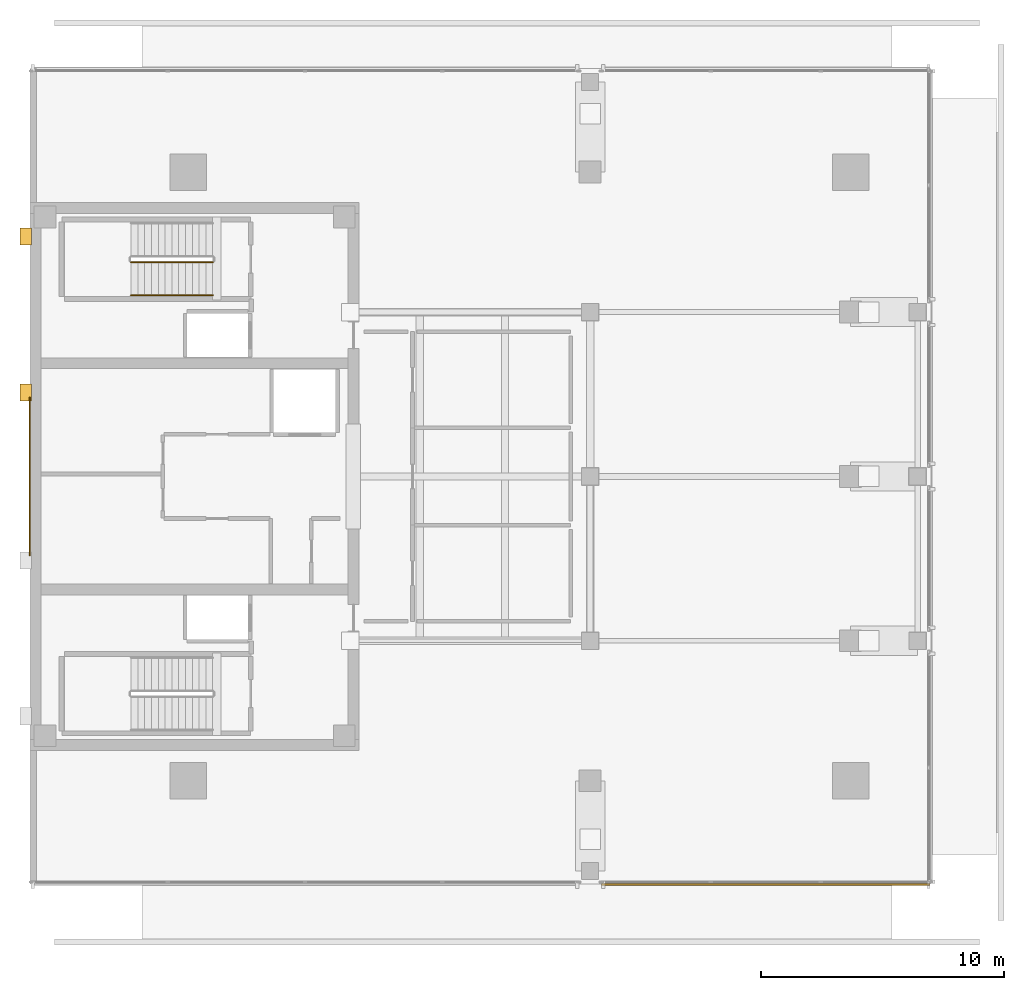
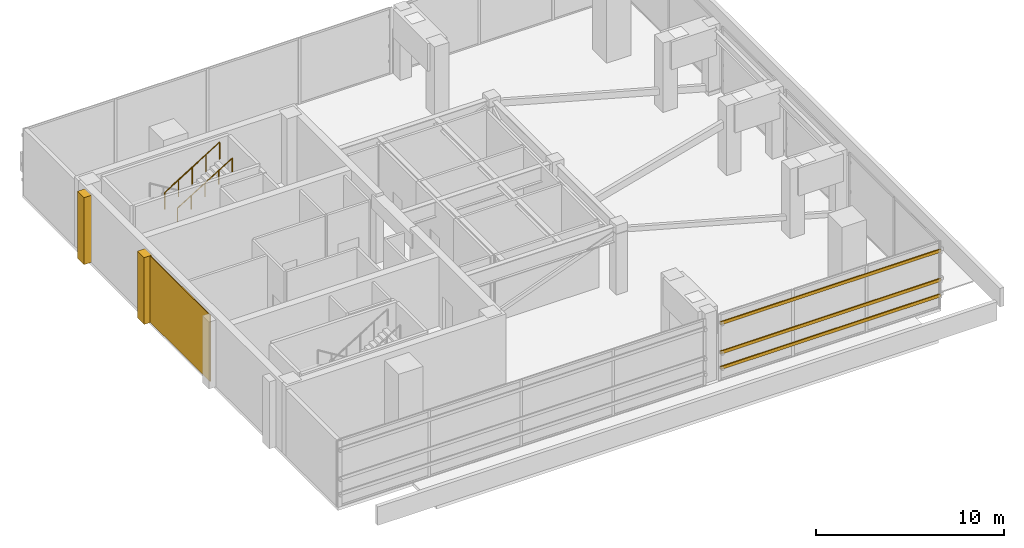
# One storey, part 11 of 13: 3 coverings, 3 shading devices, 2 railings.
"""IFC4 building model written with IfcOpenShell, lengths in metres."""

from ifc_helpers import new_model, si_unit, direction, frame, origin, origin_2d, place, context, subcontext, project, spatial, polyline, rectangle, circle, outline, extrude, material, layer, layer_set, material_profile, profile_set, type_object, element, save


model = new_model("IFC4")

# Units and contexts
model_context = context("Model", 3, precision=1e-05, world=origin(), true_north=direction((0.0, 1.0)))
body_context = subcontext(model_context, "Body", "Model", "MODEL_VIEW")
ifc_project = project(units=[si_unit("LENGTHUNIT", "METRE"), si_unit("AREAUNIT", "SQUARE_METRE"), si_unit("VOLUMEUNIT", "CUBIC_METRE"), si_unit("PLANEANGLEUNIT", "RADIAN"), si_unit("MASSUNIT", "GRAM", prefix="KILO")], contexts=[model_context])

# Site, building, storey
site_placement = place(None, origin())
site = spatial("IfcSite", under=ifc_project, at=site_placement, CompositionType="ELEMENT")
building_placement = place(site_placement, origin())
building = spatial("IfcBuilding", under=site, at=building_placement, Name="Kinhvarn Gate Tower", CompositionType="ELEMENT")
storey_placement = place(building_placement, frame((0.0, 0.0, 303.050048828125)))
storey = spatial("IfcBuildingStorey", under=building, at=storey_placement, Name="L80", CompositionType="ELEMENT", Elevation=303.050048828125)

# Coverings
ifc_material_1 = material(Name="Fired architectural terracotta", Category="masonry")
ifc_layer_1 = layer(ifc_material_1, 0.050048828125)
ifc_layer_set_1 = layer_set([ifc_layer_1], Name="Fired architectural terracotta")
covering_type_1 = type_object("IfcCoveringType", Name="COV-CLD-50", PredefinedType="CLADDING", material=ifc_layer_set_1)
covering_1_placement = place(storey_placement, origin())
element("IfcCovering", 1, at=covering_1_placement, inside=storey, type_object=covering_type_1, Name="West Core Terracotta Cladding Feature Panel (L80)", PredefinedType="CLADDING", context=body_context, shape_type="SweptSolid", body=[
    extrude(outline(polyline([(4.449951171875, 22.0), (4.5, 22.0), (4.5, 28.5), (4.449951171875, 28.5), (4.449951171875, 22.0)])), origin(), (0.0, 0.0, 1.0), 4.300048828125),
])
ifc_material_2 = material(Name="Precast white architectural concrete C40/50", Category="concrete")
ifc_layer_2 = layer(ifc_material_2, 0.47998046875)
ifc_layer_set_2 = layer_set([ifc_layer_2], Name="Precast white architectural concrete C40/50")
covering_type_2 = type_object("IfcCoveringType", Name="COV-RIB-450", PredefinedType="CLADDING", material=ifc_layer_set_2)
covering_2_placement = place(storey_placement, frame((0.0, 0.0, -0.02001953125)))
element("IfcCovering", 2, at=covering_2_placement, inside=storey, type_object=covering_type_2, Name="West Core Sculptural Concrete Relief Rib CRB-450 (L80)", PredefinedType="CLADDING", context=body_context, shape_type="SweptSolid", body=[
    extrude(outline(polyline([(4.080078125, 28.35009765625), (4.56005859375, 28.35009765625), (4.56005859375, 29.050048828125), (4.080078125, 29.050048828125), (4.080078125, 28.35009765625)])), origin(), (0.0, 0.0, 1.0), 4.340087890625),
])
covering_3_placement = place(storey_placement, frame((0.0, 0.0, -0.02001953125)))
element("IfcCovering", 3, at=covering_3_placement, inside=storey, type_object=covering_type_2, Name="West Core Sculptural Concrete Relief Rib CRB-450 (L80)", PredefinedType="CLADDING", context=body_context, shape_type="SweptSolid", body=[
    extrude(outline(polyline([(4.080078125, 34.75), (4.56005859375, 34.75), (4.56005859375, 35.449951171875), (4.080078125, 35.449951171875), (4.080078125, 34.75)])), origin(), (0.0, 0.0, 1.0), 4.340087890625),
])

# Railings
ifc_material_3 = material(Name="Steel S355", Category="steel")
railing_type_1 = type_object("IfcRailingType", Name="RL-ST-GRD", PredefinedType="BALUSTRADE", material=ifc_material_3)
railing_1_placement = place(storey_placement, frame((8.639892578125, 34.050048828125, 2.423095703125)))
element("IfcRailing", 4, at=railing_1_placement, inside=storey, type_object=railing_type_1, Name="L80 ST2 stair guard 3", PredefinedType="BALUSTRADE", context=body_context, shape_type="SweptSolid", body=[
    extrude(circle(Radius=0.02392578125, at=origin_2d()), frame((0.0, 0.0, 1.076171875), z_axis=(0.850623216509, 0.0, 0.525775754039), x_axis=(0.0, 1.0, 0.0)), (0.0, 0.0, 1.0), 3.9501953125),
    extrude(circle(Radius=0.02099609375, at=origin_2d()), origin(), (0.0, 0.0, 1.0), 1.052001953125),
    extrude(circle(Radius=0.02099609375, at=origin_2d()), frame((0.840087890625, 0.0, 0.519287109375)), (0.0, 0.0, 1.0), 1.052001953125),
    extrude(circle(Radius=0.02099609375, at=origin_2d()), frame((1.68017578125, 0.0, 1.03857421875)), (0.0, 0.0, 1.0), 1.052001953125),
    extrude(circle(Radius=0.02099609375, at=origin_2d()), frame((2.52001953125, 0.0, 1.5576171875)), (0.0, 0.0, 1.0), 1.052001953125),
    extrude(circle(Radius=0.02099609375, at=origin_2d()), frame((3.360107421875, 0.0, 2.076904296875)), (0.0, 0.0, 1.0), 1.052001953125),
])
railing_type_2 = type_object("IfcRailingType", Name="RL-ST-HND", PredefinedType="HANDRAIL", material=ifc_material_3)
railing_2_placement = place(storey_placement, frame((8.639892578125, 32.699951171875, 2.423095703125)))
element("IfcRailing", 5, at=railing_2_placement, inside=storey, type_object=railing_type_2, Name="L80 ST2 stair handrail 2", PredefinedType="HANDRAIL", context=body_context, shape_type="SweptSolid", body=[
    extrude(circle(Radius=0.02392578125, at=origin_2d()), frame((0.0, 0.0, 0.8759765625), z_axis=(0.850623216509, 0.0, 0.525775754039), x_axis=(0.0, 1.0, 0.0)), (0.0, 0.0, 1.0), 3.9501953125),
    extrude(circle(Radius=0.02099609375, at=origin_2d()), origin(), (0.0, 0.0, 1.0), 0.851806640625),
    extrude(circle(Radius=0.02099609375, at=origin_2d()), frame((0.840087890625, 0.0, 0.519287109375)), (0.0, 0.0, 1.0), 0.851806640625),
    extrude(circle(Radius=0.02099609375, at=origin_2d()), frame((1.68017578125, 0.0, 1.03857421875)), (0.0, 0.0, 1.0), 0.851806640625),
    extrude(circle(Radius=0.02099609375, at=origin_2d()), frame((2.52001953125, 0.0, 1.5576171875)), (0.0, 0.0, 1.0), 0.851806640625),
    extrude(circle(Radius=0.02099609375, at=origin_2d()), frame((3.360107421875, 0.0, 2.076904296875)), (0.0, 0.0, 1.0), 0.851806640625),
])

# Shading devices
ifc_material_4 = material(Name="Anodised aluminium AW-6063", Category="aluminium")
ifc_material_profile = material_profile(ifc_material_4, rectangle(XDim=0.074951171875, YDim=0.199951171875, at=origin_2d()), Name="LOUVRE 75x200")
ifc_profile_set = profile_set([ifc_material_profile], Name="Anodised aluminium AW-6063")
shading_device_type = type_object("IfcShadingDeviceType", Name="SHD-LVR-200", PredefinedType="JALOUSIE", material=ifc_profile_set)
for number, where, z_axis, x_axis, name in (
    (6, (27.969970703125, 8.487548828125, 0.849853515625), (1.0, 0.0, 0.0), (0.0, 1.0, 0.0), "Anodised Aluminium Acoustic Plant Louvre Blade 75x200 mm (L80)"),
    (7, (27.969970703125, 8.487548828125, 1.849853515625), (1.0, 0.0, 0.0), (0.0, 1.0, 0.0), "Anodised Aluminium Acoustic Plant Louvre Blade 75x200 mm (L80)"),
    (8, (27.969970703125, 8.487548828125, 3.75), (1.0, 0.0, 0.0), (0.0, 1.0, 0.0), "Anodised Aluminium Acoustic Plant Louvre Blade 75x200 mm (L80)"),
):
    element("IfcShadingDevice", number, at=place(storey_placement, frame(where, z_axis=z_axis, x_axis=x_axis)), inside=storey, type_object=shading_device_type, Name=name, PredefinedType="JALOUSIE", context=body_context, shape_type="SweptSolid", body=[
        extrude(rectangle(XDim=0.074951171875, YDim=0.199951171875, at=origin_2d()), origin(), (0.0, 0.0, 1.0), 13.489990234375),
    ])

save(model, "model.ifc")
